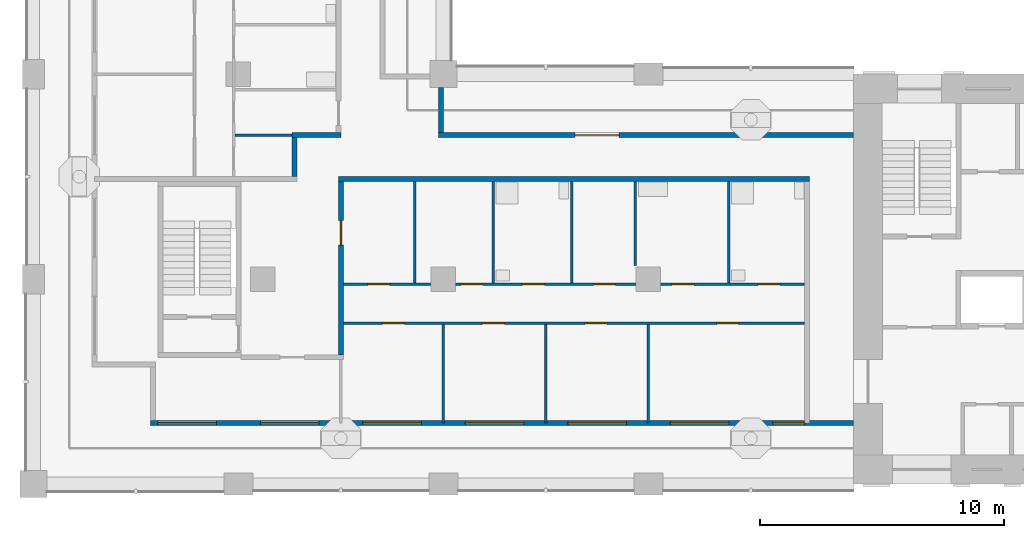
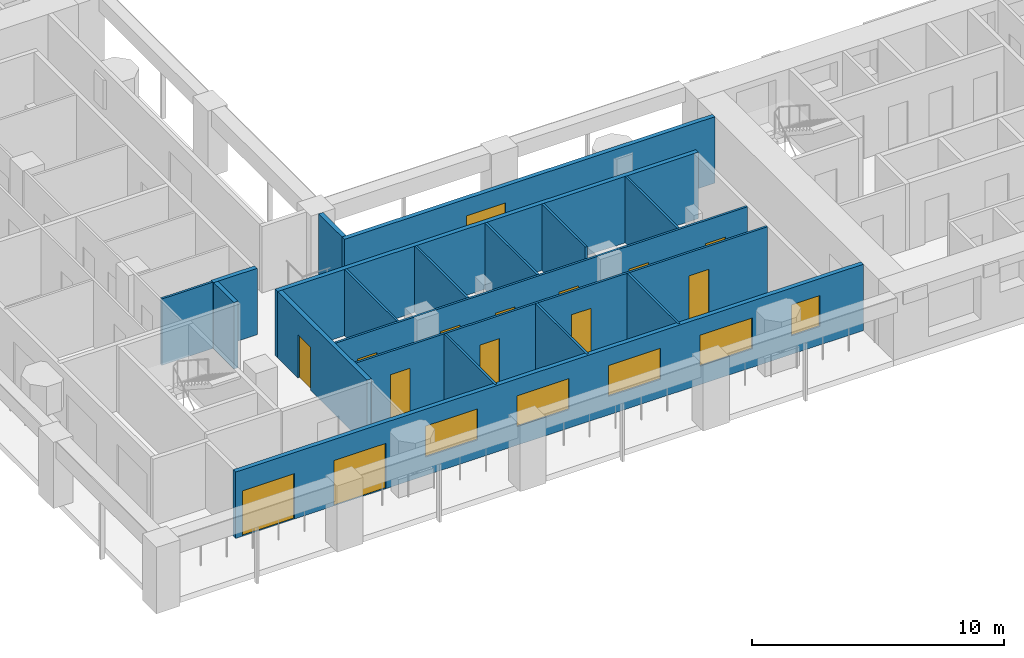
# One storey, part 2 of 13: 18 walls, 14 doors, 5 windows, 19 openings.
"""IFC4 building model written with IfcOpenShell, lengths in metres."""

from ifc_helpers import new_model, si_unit, direction, frame, frame_2d, origin, place, context, subcontext, project, spatial, rectangle, extrude, material, layer, layer_set, type_object, element, fill, save


model = new_model("IFC4")

# Units and contexts
model_context = context("Model", 3, precision=1e-05, world=origin(), true_north=direction((0.0, 1.0)))
body_context = subcontext(model_context, "Body", "Model", "MODEL_VIEW")
ifc_project = project(units=[si_unit("LENGTHUNIT", "METRE"), si_unit("AREAUNIT", "SQUARE_METRE"), si_unit("VOLUMEUNIT", "CUBIC_METRE"), si_unit("PLANEANGLEUNIT", "RADIAN"), si_unit("MASSUNIT", "GRAM", prefix="KILO")], contexts=[model_context])

# Site, building, storey
site_placement = place(None, origin())
site = spatial("IfcSite", under=ifc_project, at=site_placement, CompositionType="ELEMENT")
building_placement = place(site_placement, origin())
building = spatial("IfcBuilding", under=site, at=building_placement, Name="Vermilion Gate Residences", CompositionType="ELEMENT")
storey_placement = place(building_placement, frame((0.0, 0.0, 147.699951171875)))
storey = spatial("IfcBuildingStorey", under=building, at=storey_placement, Name="L37", CompositionType="ELEMENT", Elevation=147.699951171875)

# Wall, openings, doors, windows
ifc_material_1 = material(Name="Insulated steel stud wall with terracotta rainscreen", Category="masonry")
ifc_layer_1 = layer(ifc_material_1, 0.199951171875)
ifc_layer_set_1 = layer_set([ifc_layer_1], Name="EXTERNAL WALL 200 TERRACOTTA RAINSCREEN")
wall_type_1 = type_object("IfcWallType", Name="EXTERNAL WALL 200 TERRACOTTA RAINSCREEN", PredefinedType="SOLIDWALL", material=ifc_layer_set_1)
wall_1_placement = place(storey_placement, frame((13.199951171875, 10.89990234375, 0.0), z_axis=(0.0, 0.0, 1.0), x_axis=(1.0, 0.0, 0.0)))
wall_1 = element("IfcWall", 1, at=wall_1_placement, inside=storey, type_object=wall_type_1, Name="External wall", PredefinedType="SOLIDWALL", context=body_context, shape_type="SweptSolid", body=[
    extrude(rectangle(XDim=28.800048828125, YDim=0.199951171875, at=frame_2d((14.39990234375, 0.0))), origin(), (0.0, 0.0, 1.0), 3.219970703125),
])
opening_1_placement = place(wall_1_placement, frame((0.300048828125, 0.0, 0.0)))
opening_1 = element("IfcOpeningElement", 2, at=opening_1_placement, cuts=wall_1, Name="Opening DE37008", PredefinedType="OPENING", context=body_context, shape_type="SweptSolid", body=[
    extrude(rectangle(XDim=2.39990234375, YDim=2.199951171875, at=frame_2d((1.199951171875, 1.10009765625))), frame((0.0, 0.10986328125, 0.0), z_axis=(0.0, -1.0, 0.0), x_axis=(1.0, 0.0, 0.0)), (0.0, 0.0, 1.0), 0.219970703125),
])
opening_2_placement = place(wall_1_placement, frame((4.5, 0.0, 0.0)))
opening_2 = element("IfcOpeningElement", 3, at=opening_2_placement, cuts=wall_1, Name="Opening DE37009", PredefinedType="OPENING", context=body_context, shape_type="SweptSolid", body=[
    extrude(rectangle(XDim=2.39990234375, YDim=2.199951171875, at=frame_2d((1.199951171875, 1.10009765625))), frame((0.0, 0.10986328125, 0.0), z_axis=(0.0, -1.0, 0.0), x_axis=(1.0, 0.0, 0.0)), (0.0, 0.0, 1.0), 0.219970703125),
])
opening_3_placement = place(wall_1_placement, frame((8.699951171875, 0.0, 0.89990234375)))
opening_3 = element("IfcOpeningElement", 4, at=opening_3_placement, cuts=wall_1, Name="Opening WE37010", PredefinedType="OPENING", context=body_context, shape_type="SweptSolid", body=[
    extrude(rectangle(XDim=2.39990234375, YDim=1.5, at=frame_2d((1.199951171875, 0.75))), frame((0.0, 0.10986328125, 0.0), z_axis=(0.0, -1.0, 0.0), x_axis=(1.0, 0.0, 0.0)), (0.0, 0.0, 1.0), 0.219970703125),
])
opening_4_placement = place(wall_1_placement, frame((12.89990234375, 0.0, 0.89990234375)))
opening_4 = element("IfcOpeningElement", 5, at=opening_4_placement, cuts=wall_1, Name="Opening WE37011", PredefinedType="OPENING", context=body_context, shape_type="SweptSolid", body=[
    extrude(rectangle(XDim=2.39990234375, YDim=1.5, at=frame_2d((1.199951171875, 0.75))), frame((0.0, 0.10986328125, 0.0), z_axis=(0.0, -1.0, 0.0), x_axis=(1.0, 0.0, 0.0)), (0.0, 0.0, 1.0), 0.219970703125),
])
opening_5_placement = place(wall_1_placement, frame((17.10009765625, 0.0, 0.89990234375)))
opening_5 = element("IfcOpeningElement", 6, at=opening_5_placement, cuts=wall_1, Name="Opening WE37012", PredefinedType="OPENING", context=body_context, shape_type="SweptSolid", body=[
    extrude(rectangle(XDim=2.39990234375, YDim=1.5, at=frame_2d((1.199951171875, 0.75))), frame((0.0, 0.10986328125, 0.0), z_axis=(0.0, -1.0, 0.0), x_axis=(1.0, 0.0, 0.0)), (0.0, 0.0, 1.0), 0.219970703125),
])
opening_6_placement = place(wall_1_placement, frame((21.300048828125, 0.0, 0.89990234375)))
opening_6 = element("IfcOpeningElement", 7, at=opening_6_placement, cuts=wall_1, Name="Opening WE37013", PredefinedType="OPENING", context=body_context, shape_type="SweptSolid", body=[
    extrude(rectangle(XDim=2.39990234375, YDim=1.5, at=frame_2d((1.199951171875, 0.75))), frame((0.0, 0.10986328125, 0.0), z_axis=(0.0, -1.0, 0.0), x_axis=(1.0, 0.0, 0.0)), (0.0, 0.0, 1.0), 0.219970703125),
])
opening_7_placement = place(wall_1_placement, frame((25.5, 0.0, 0.89990234375)))
opening_7 = element("IfcOpeningElement", 8, at=opening_7_placement, cuts=wall_1, Name="Opening WE37014", PredefinedType="OPENING", context=body_context, shape_type="SweptSolid", body=[
    extrude(rectangle(XDim=1.300048828125, YDim=1.5, at=frame_2d((0.64990234375, 0.75))), frame((0.0, 0.10986328125, 0.0), z_axis=(0.0, -1.0, 0.0), x_axis=(1.0, 0.0, 0.0)), (0.0, 0.0, 1.0), 0.219970703125),
])
ifc_material_2 = material(Name="Aluminium and clear glass", Category="aluminium")
door_type_1 = type_object("IfcDoorType", Name="SLIDING GLAZED DOOR 2400 X 2200", OperationType="DOUBLE_DOOR_SLIDING", PredefinedType="DOOR", material=ifc_material_2)
door_1_placement = place(opening_1_placement, origin())
door_1 = element("IfcDoor", 9, at=door_1_placement, inside=storey, type_object=door_type_1, Name="Loggia sliding door", OperationType="DOUBLE_DOOR_SLIDING", OverallHeight=2.199951171875, OverallWidth=2.39990234375, PredefinedType="DOOR", context=body_context, shape_type="SweptSolid", body=[
    extrude(rectangle(XDim=2.39990234375, YDim=2.199951171875, at=frame_2d((1.199951171875, 1.10009765625))), frame((0.0, 0.02490234375, 0.0), z_axis=(0.0, -1.0, 0.0), x_axis=(1.0, 0.0, 0.0)), (0.0, 0.0, 1.0), 0.050048828125),
])
fill(opening_1, door_1)
door_2_placement = place(opening_2_placement, origin())
door_2 = element("IfcDoor", 10, at=door_2_placement, inside=storey, type_object=door_type_1, Name="Loggia sliding door", OperationType="DOUBLE_DOOR_SLIDING", OverallHeight=2.199951171875, OverallWidth=2.39990234375, PredefinedType="DOOR", context=body_context, shape_type="SweptSolid", body=[
    extrude(rectangle(XDim=2.39990234375, YDim=2.199951171875, at=frame_2d((1.199951171875, 1.10009765625))), frame((0.0, 0.02490234375, 0.0), z_axis=(0.0, -1.0, 0.0), x_axis=(1.0, 0.0, 0.0)), (0.0, 0.0, 1.0), 0.050048828125),
])
fill(opening_2, door_2)
ifc_material_3 = material(Name="Aluminium and clear glass", Category="aluminium")
window_type_1 = type_object("IfcWindowType", Name="WINDOW 1300 X 1500", PartitioningType="SINGLE_PANEL", PredefinedType="WINDOW", material=ifc_material_3)
window_1_placement = place(opening_7_placement, origin())
window_1 = element("IfcWindow", 11, at=window_1_placement, inside=storey, type_object=window_type_1, Name="Window", OverallHeight=1.5, OverallWidth=1.300048828125, PartitioningType="SINGLE_PANEL", PredefinedType="WINDOW", context=body_context, shape_type="SweptSolid", body=[
    extrude(rectangle(XDim=1.300048828125, YDim=1.5, at=frame_2d((0.64990234375, 0.75))), frame((0.0, 0.030029296875, 0.0), z_axis=(0.0, -1.0, 0.0), x_axis=(1.0, 0.0, 0.0)), (0.0, 0.0, 1.0), 0.06005859375),
])
fill(opening_7, window_1)
ifc_material_4 = material(Name="Aluminium and clear glass", Category="aluminium")
window_type_2 = type_object("IfcWindowType", Name="WINDOW 2400 X 1500", PartitioningType="SINGLE_PANEL", PredefinedType="WINDOW", material=ifc_material_4)
window_2_placement = place(opening_3_placement, origin())
window_2 = element("IfcWindow", 12, at=window_2_placement, inside=storey, type_object=window_type_2, Name="Window", OverallHeight=1.5, OverallWidth=2.39990234375, PartitioningType="SINGLE_PANEL", PredefinedType="WINDOW", context=body_context, shape_type="SweptSolid", body=[
    extrude(rectangle(XDim=2.39990234375, YDim=1.5, at=frame_2d((1.199951171875, 0.75))), frame((0.0, 0.030029296875, 0.0), z_axis=(0.0, -1.0, 0.0), x_axis=(1.0, 0.0, 0.0)), (0.0, 0.0, 1.0), 0.06005859375),
])
fill(opening_3, window_2)
window_3_placement = place(opening_4_placement, origin())
window_3 = element("IfcWindow", 13, at=window_3_placement, inside=storey, type_object=window_type_2, Name="Window", OverallHeight=1.5, OverallWidth=2.39990234375, PartitioningType="SINGLE_PANEL", PredefinedType="WINDOW", context=body_context, shape_type="SweptSolid", body=[
    extrude(rectangle(XDim=2.39990234375, YDim=1.5, at=frame_2d((1.199951171875, 0.75))), frame((0.0, 0.030029296875, 0.0), z_axis=(0.0, -1.0, 0.0), x_axis=(1.0, 0.0, 0.0)), (0.0, 0.0, 1.0), 0.06005859375),
])
fill(opening_4, window_3)
window_4_placement = place(opening_5_placement, origin())
window_4 = element("IfcWindow", 14, at=window_4_placement, inside=storey, type_object=window_type_2, Name="Window", OverallHeight=1.5, OverallWidth=2.39990234375, PartitioningType="SINGLE_PANEL", PredefinedType="WINDOW", context=body_context, shape_type="SweptSolid", body=[
    extrude(rectangle(XDim=2.39990234375, YDim=1.5, at=frame_2d((1.199951171875, 0.75))), frame((0.0, 0.030029296875, 0.0), z_axis=(0.0, -1.0, 0.0), x_axis=(1.0, 0.0, 0.0)), (0.0, 0.0, 1.0), 0.06005859375),
])
fill(opening_5, window_4)
window_5_placement = place(opening_6_placement, origin())
window_5 = element("IfcWindow", 15, at=window_5_placement, inside=storey, type_object=window_type_2, Name="Window", OverallHeight=1.5, OverallWidth=2.39990234375, PartitioningType="SINGLE_PANEL", PredefinedType="WINDOW", context=body_context, shape_type="SweptSolid", body=[
    extrude(rectangle(XDim=2.39990234375, YDim=1.5, at=frame_2d((1.199951171875, 0.75))), frame((0.0, 0.030029296875, 0.0), z_axis=(0.0, -1.0, 0.0), x_axis=(1.0, 0.0, 0.0)), (0.0, 0.0, 1.0), 0.06005859375),
])
fill(opening_6, window_5)

# Wall, opening, door
wall_2_placement = place(storey_placement, frame((42.0, 22.699951171875, 0.0), z_axis=(0.0, 0.0, 1.0), x_axis=(-1.0, 0.0, 0.0)))
wall_2 = element("IfcWall", 16, at=wall_2_placement, inside=storey, type_object=wall_type_1, Name="External wall", PredefinedType="SOLIDWALL", context=body_context, shape_type="SweptSolid", body=[
    extrude(rectangle(XDim=17.0, YDim=0.199951171875, at=frame_2d((8.5, 0.0))), origin(), (0.0, 0.0, 1.0), 3.219970703125),
])
opening_8_placement = place(wall_2_placement, frame((9.60009765625, 0.0, 0.0)))
opening_8 = element("IfcOpeningElement", 17, at=opening_8_placement, cuts=wall_2, Name="Opening DE37020", PredefinedType="OPENING", context=body_context, shape_type="SweptSolid", body=[
    extrude(rectangle(XDim=1.800048828125, YDim=2.39990234375, at=frame_2d((0.89990234375, 1.199951171875))), frame((0.0, 0.10986328125, 0.0), z_axis=(0.0, -1.0, 0.0), x_axis=(1.0, 0.0, 0.0)), (0.0, 0.0, 1.0), 0.219970703125),
])
ifc_material_5 = material(Name="Aluminium and clear glass", Category="aluminium")
door_type_2 = type_object("IfcDoorType", Name="GLAZED EXTERNAL DOOR 1800 X 2400", OperationType="DOUBLE_DOOR_SINGLE_SWING", PredefinedType="DOOR", material=ifc_material_5)
door_3_placement = place(opening_8_placement, frame((1.800048828125, 0.0, 0.0), z_axis=(0.0, 0.0, 1.0), x_axis=(-1.0, 0.0, 0.0)))
door_3 = element("IfcDoor", 18, at=door_3_placement, inside=storey, type_object=door_type_2, Name="Gallery door", OperationType="DOUBLE_DOOR_SINGLE_SWING", OverallHeight=2.39990234375, OverallWidth=1.800048828125, PredefinedType="DOOR", context=body_context, shape_type="SweptSolid", body=[
    extrude(rectangle(XDim=1.800048828125, YDim=2.39990234375, at=frame_2d((0.89990234375, 1.199951171875))), frame((0.0, 0.02490234375, 0.0), z_axis=(0.0, -1.0, 0.0), x_axis=(1.0, 0.0, 0.0)), (0.0, 0.0, 1.0), 0.050048828125),
])
fill(opening_8, door_3)

# Wall
wall_3_placement = place(storey_placement, frame((25.10009765625, 22.800048828125, 0.0), z_axis=(0.0, 0.0, 1.0), x_axis=(0.0, 1.0, 0.0)))
element("IfcWall", 19, at=wall_3_placement, inside=storey, type_object=wall_type_1, Name="External wall", PredefinedType="SOLIDWALL", context=body_context, shape_type="SweptSolid", body=[
    extrude(rectangle(XDim=1.849853515625, YDim=0.199951171875, at=frame_2d((0.9248046875, 0.0))), origin(), (0.0, 0.0, 1.0), 3.219970703125),
])

# Wall, openings, doors
ifc_material_6 = material(Name="Plasterboard on steel studs", Category="steel")
ifc_layer_2 = layer(ifc_material_6, 0.10009765625)
ifc_layer_set_2 = layer_set([ifc_layer_2], Name="PARTITION 100")
wall_type_2 = type_object("IfcWallType", Name="PARTITION 100", PredefinedType="PARTITIONING", material=ifc_layer_set_2)
wall_4_placement = place(storey_placement, frame((21.10009765625, 15.0, 0.0), z_axis=(0.0, 0.0, 1.0), x_axis=(1.0, 0.0, 0.0)))
wall_4 = element("IfcWall", 20, at=wall_4_placement, inside=storey, type_object=wall_type_2, Name="Partition", PredefinedType="PARTITIONING", context=body_context, shape_type="SweptSolid", body=[
    extrude(rectangle(XDim=18.89990234375, YDim=0.10009765625, at=frame_2d((9.449951171875, 0.0))), origin(), (0.0, 0.0, 1.0), 3.219970703125),
])
opening_9_placement = place(wall_4_placement, frame((1.60009765625, 0.0, 0.0)))
opening_9 = element("IfcOpeningElement", 21, at=opening_9_placement, cuts=wall_4, Name="Opening DA37002", PredefinedType="OPENING", context=body_context, shape_type="SweptSolid", body=[
    extrude(rectangle(XDim=0.89990234375, YDim=2.10009765625, at=frame_2d((0.449951171875, 1.050048828125))), frame((0.0, 0.06005859375, 0.0), z_axis=(0.0, -1.0, 0.0), x_axis=(1.0, 0.0, 0.0)), (0.0, 0.0, 1.0), 0.1201171875),
])
opening_10_placement = place(wall_4_placement, frame((5.699951171875, 0.0, 0.0)))
opening_10 = element("IfcOpeningElement", 22, at=opening_10_placement, cuts=wall_4, Name="Opening DA37003", PredefinedType="OPENING", context=body_context, shape_type="SweptSolid", body=[
    extrude(rectangle(XDim=0.89990234375, YDim=2.10009765625, at=frame_2d((0.449951171875, 1.050048828125))), frame((0.0, 0.06005859375, 0.0), z_axis=(0.0, -1.0, 0.0), x_axis=(1.0, 0.0, 0.0)), (0.0, 0.0, 1.0), 0.1201171875),
])
opening_11_placement = place(wall_4_placement, frame((9.89990234375, 0.0, 0.0)))
opening_11 = element("IfcOpeningElement", 23, at=opening_11_placement, cuts=wall_4, Name="Opening DA37004", PredefinedType="OPENING", context=body_context, shape_type="SweptSolid", body=[
    extrude(rectangle(XDim=0.89990234375, YDim=2.10009765625, at=frame_2d((0.449951171875, 1.050048828125))), frame((0.0, 0.06005859375, 0.0), z_axis=(0.0, -1.0, 0.0), x_axis=(1.0, 0.0, 0.0)), (0.0, 0.0, 1.0), 0.1201171875),
])
opening_12_placement = place(wall_4_placement, frame((15.300048828125, 0.0, 0.0)))
opening_12 = element("IfcOpeningElement", 24, at=opening_12_placement, cuts=wall_4, Name="Opening DA37005", PredefinedType="OPENING", context=body_context, shape_type="SweptSolid", body=[
    extrude(rectangle(XDim=0.89990234375, YDim=2.10009765625, at=frame_2d((0.449951171875, 1.050048828125))), frame((0.0, 0.06005859375, 0.0), z_axis=(0.0, -1.0, 0.0), x_axis=(1.0, 0.0, 0.0)), (0.0, 0.0, 1.0), 0.1201171875),
])
ifc_material_7 = material(Name="Timber", Category="wood")
door_type_3 = type_object("IfcDoorType", Name="INTERIOR DOOR 900 X 2100", OperationType="SINGLE_SWING_LEFT", PredefinedType="DOOR", material=ifc_material_7)
door_4_placement = place(opening_9_placement, frame((0.89990234375, 0.0, 0.0), z_axis=(0.0, 0.0, 1.0), x_axis=(-1.0, 0.0, 0.0)))
door_4 = element("IfcDoor", 25, at=door_4_placement, inside=storey, type_object=door_type_3, Name="Interior door", OperationType="SINGLE_SWING_LEFT", OverallHeight=2.10009765625, OverallWidth=0.89990234375, PredefinedType="DOOR", context=body_context, shape_type="SweptSolid", body=[
    extrude(rectangle(XDim=0.89990234375, YDim=2.10009765625, at=frame_2d((0.449951171875, 1.050048828125))), frame((0.0, 0.02490234375, 0.0), z_axis=(0.0, -1.0, 0.0), x_axis=(1.0, 0.0, 0.0)), (0.0, 0.0, 1.0), 0.050048828125),
])
fill(opening_9, door_4)
door_5_placement = place(opening_10_placement, frame((0.89990234375, 0.0, 0.0), z_axis=(0.0, 0.0, 1.0), x_axis=(-1.0, 0.0, 0.0)))
door_5 = element("IfcDoor", 26, at=door_5_placement, inside=storey, type_object=door_type_3, Name="Interior door", OperationType="SINGLE_SWING_RIGHT", OverallHeight=2.10009765625, OverallWidth=0.89990234375, PredefinedType="DOOR", context=body_context, shape_type="SweptSolid", body=[
    extrude(rectangle(XDim=0.89990234375, YDim=2.10009765625, at=frame_2d((0.449951171875, 1.050048828125))), frame((0.0, 0.02490234375, 0.0), z_axis=(0.0, -1.0, 0.0), x_axis=(1.0, 0.0, 0.0)), (0.0, 0.0, 1.0), 0.050048828125),
])
fill(opening_10, door_5)
door_6_placement = place(opening_11_placement, frame((0.89990234375, 0.0, 0.0), z_axis=(0.0, 0.0, 1.0), x_axis=(-1.0, 0.0, 0.0)))
door_6 = element("IfcDoor", 27, at=door_6_placement, inside=storey, type_object=door_type_3, Name="Interior door", OperationType="SINGLE_SWING_RIGHT", OverallHeight=2.10009765625, OverallWidth=0.89990234375, PredefinedType="DOOR", context=body_context, shape_type="SweptSolid", body=[
    extrude(rectangle(XDim=0.89990234375, YDim=2.10009765625, at=frame_2d((0.449951171875, 1.050048828125))), frame((0.0, 0.02490234375, 0.0), z_axis=(0.0, -1.0, 0.0), x_axis=(1.0, 0.0, 0.0)), (0.0, 0.0, 1.0), 0.050048828125),
])
fill(opening_11, door_6)
door_7_placement = place(opening_12_placement, frame((0.89990234375, 0.0, 0.0), z_axis=(0.0, 0.0, 1.0), x_axis=(-1.0, 0.0, 0.0)))
door_7 = element("IfcDoor", 28, at=door_7_placement, inside=storey, type_object=door_type_3, Name="Interior door", OperationType="SINGLE_SWING_LEFT", OverallHeight=2.10009765625, OverallWidth=0.89990234375, PredefinedType="DOOR", context=body_context, shape_type="SweptSolid", body=[
    extrude(rectangle(XDim=0.89990234375, YDim=2.10009765625, at=frame_2d((0.449951171875, 1.050048828125))), frame((0.0, 0.02490234375, 0.0), z_axis=(0.0, -1.0, 0.0), x_axis=(1.0, 0.0, 0.0)), (0.0, 0.0, 1.0), 0.050048828125),
])
fill(opening_12, door_7)

wall_5_placement = place(storey_placement, frame((21.10009765625, 16.60009765625, 0.0), z_axis=(0.0, 0.0, 1.0), x_axis=(1.0, 0.0, 0.0)))
wall_5 = element("IfcWall", 29, at=wall_5_placement, inside=storey, type_object=wall_type_2, Name="Partition", PredefinedType="PARTITIONING", context=body_context, shape_type="SweptSolid", body=[
    extrude(rectangle(XDim=18.89990234375, YDim=0.10009765625, at=frame_2d((9.449951171875, 0.0))), origin(), (0.0, 0.0, 1.0), 3.219970703125),
])
opening_13_placement = place(wall_5_placement, frame((1.0, 0.0, 0.0)))
opening_13 = element("IfcOpeningElement", 30, at=opening_13_placement, cuts=wall_5, Name="Opening DA37006", PredefinedType="OPENING", context=body_context, shape_type="SweptSolid", body=[
    extrude(rectangle(XDim=0.89990234375, YDim=2.10009765625, at=frame_2d((0.449951171875, 1.050048828125))), frame((0.0, 0.06005859375, 0.0), z_axis=(0.0, -1.0, 0.0), x_axis=(1.0, 0.0, 0.0)), (0.0, 0.0, 1.0), 0.1201171875),
])
opening_14_placement = place(wall_5_placement, frame((4.81689453125, 0.0, 0.0)))
opening_14 = element("IfcOpeningElement", 31, at=opening_14_placement, cuts=wall_5, Name="Opening DA37007", PredefinedType="OPENING", context=body_context, shape_type="SweptSolid", body=[
    extrude(rectangle(XDim=0.89990234375, YDim=2.10009765625, at=frame_2d((0.449951171875, 1.050048828125))), frame((0.0, 0.06005859375, 0.0), z_axis=(0.0, -1.0, 0.0), x_axis=(1.0, 0.0, 0.0)), (0.0, 0.0, 1.0), 0.1201171875),
])
opening_15_placement = place(wall_5_placement, frame((7.3330078125, 0.0, 0.0)))
opening_15 = element("IfcOpeningElement", 32, at=opening_15_placement, cuts=wall_5, Name="Opening DA37008", PredefinedType="OPENING", context=body_context, shape_type="SweptSolid", body=[
    extrude(rectangle(XDim=0.89990234375, YDim=2.10009765625, at=frame_2d((0.449951171875, 1.050048828125))), frame((0.0, 0.06005859375, 0.0), z_axis=(0.0, -1.0, 0.0), x_axis=(1.0, 0.0, 0.0)), (0.0, 0.0, 1.0), 0.1201171875),
])
opening_16_placement = place(wall_5_placement, frame((10.25, 0.0, 0.0)))
opening_16 = element("IfcOpeningElement", 33, at=opening_16_placement, cuts=wall_5, Name="Opening DA37009", PredefinedType="OPENING", context=body_context, shape_type="SweptSolid", body=[
    extrude(rectangle(XDim=0.89990234375, YDim=2.10009765625, at=frame_2d((0.449951171875, 1.050048828125))), frame((0.0, 0.06005859375, 0.0), z_axis=(0.0, -1.0, 0.0), x_axis=(1.0, 0.0, 0.0)), (0.0, 0.0, 1.0), 0.1201171875),
])
opening_17_placement = place(wall_5_placement, frame((13.467041015625, 0.0, 0.0)))
opening_17 = element("IfcOpeningElement", 34, at=opening_17_placement, cuts=wall_5, Name="Opening DA37010", PredefinedType="OPENING", context=body_context, shape_type="SweptSolid", body=[
    extrude(rectangle(XDim=0.89990234375, YDim=2.10009765625, at=frame_2d((0.449951171875, 1.050048828125))), frame((0.0, 0.06005859375, 0.0), z_axis=(0.0, -1.0, 0.0), x_axis=(1.0, 0.0, 0.0)), (0.0, 0.0, 1.0), 0.1201171875),
])
opening_18_placement = place(wall_5_placement, frame((16.98388671875, 0.0, 0.0)))
opening_18 = element("IfcOpeningElement", 35, at=opening_18_placement, cuts=wall_5, Name="Opening DA37011", PredefinedType="OPENING", context=body_context, shape_type="SweptSolid", body=[
    extrude(rectangle(XDim=0.89990234375, YDim=2.10009765625, at=frame_2d((0.449951171875, 1.050048828125))), frame((0.0, 0.06005859375, 0.0), z_axis=(0.0, -1.0, 0.0), x_axis=(1.0, 0.0, 0.0)), (0.0, 0.0, 1.0), 0.1201171875),
])
door_8_placement = place(opening_13_placement, origin())
door_8 = element("IfcDoor", 36, at=door_8_placement, inside=storey, type_object=door_type_3, Name="Interior door", OperationType="SINGLE_SWING_RIGHT", OverallHeight=2.10009765625, OverallWidth=0.89990234375, PredefinedType="DOOR", context=body_context, shape_type="SweptSolid", body=[
    extrude(rectangle(XDim=0.89990234375, YDim=2.10009765625, at=frame_2d((0.449951171875, 1.050048828125))), frame((0.0, 0.02490234375, 0.0), z_axis=(0.0, -1.0, 0.0), x_axis=(1.0, 0.0, 0.0)), (0.0, 0.0, 1.0), 0.050048828125),
])
fill(opening_13, door_8)
door_9_placement = place(opening_14_placement, origin())
door_9 = element("IfcDoor", 37, at=door_9_placement, inside=storey, type_object=door_type_3, Name="Interior door", OperationType="SINGLE_SWING_LEFT", OverallHeight=2.10009765625, OverallWidth=0.89990234375, PredefinedType="DOOR", context=body_context, shape_type="SweptSolid", body=[
    extrude(rectangle(XDim=0.89990234375, YDim=2.10009765625, at=frame_2d((0.449951171875, 1.050048828125))), frame((0.0, 0.02490234375, 0.0), z_axis=(0.0, -1.0, 0.0), x_axis=(1.0, 0.0, 0.0)), (0.0, 0.0, 1.0), 0.050048828125),
])
fill(opening_14, door_9)
door_10_placement = place(opening_15_placement, origin())
door_10 = element("IfcDoor", 38, at=door_10_placement, inside=storey, type_object=door_type_3, Name="Interior door", OperationType="SINGLE_SWING_LEFT", OverallHeight=2.10009765625, OverallWidth=0.89990234375, PredefinedType="DOOR", context=body_context, shape_type="SweptSolid", body=[
    extrude(rectangle(XDim=0.89990234375, YDim=2.10009765625, at=frame_2d((0.449951171875, 1.050048828125))), frame((0.0, 0.02490234375, 0.0), z_axis=(0.0, -1.0, 0.0), x_axis=(1.0, 0.0, 0.0)), (0.0, 0.0, 1.0), 0.050048828125),
])
fill(opening_15, door_10)
door_11_placement = place(opening_16_placement, origin())
door_11 = element("IfcDoor", 39, at=door_11_placement, inside=storey, type_object=door_type_3, Name="Interior door", OperationType="SINGLE_SWING_LEFT", OverallHeight=2.10009765625, OverallWidth=0.89990234375, PredefinedType="DOOR", context=body_context, shape_type="SweptSolid", body=[
    extrude(rectangle(XDim=0.89990234375, YDim=2.10009765625, at=frame_2d((0.449951171875, 1.050048828125))), frame((0.0, 0.02490234375, 0.0), z_axis=(0.0, -1.0, 0.0), x_axis=(1.0, 0.0, 0.0)), (0.0, 0.0, 1.0), 0.050048828125),
])
fill(opening_16, door_11)
door_12_placement = place(opening_17_placement, origin())
door_12 = element("IfcDoor", 40, at=door_12_placement, inside=storey, type_object=door_type_3, Name="Interior door", OperationType="SINGLE_SWING_LEFT", OverallHeight=2.10009765625, OverallWidth=0.89990234375, PredefinedType="DOOR", context=body_context, shape_type="SweptSolid", body=[
    extrude(rectangle(XDim=0.89990234375, YDim=2.10009765625, at=frame_2d((0.449951171875, 1.050048828125))), frame((0.0, 0.02490234375, 0.0), z_axis=(0.0, -1.0, 0.0), x_axis=(1.0, 0.0, 0.0)), (0.0, 0.0, 1.0), 0.050048828125),
])
fill(opening_17, door_12)
door_13_placement = place(opening_18_placement, origin())
door_13 = element("IfcDoor", 41, at=door_13_placement, inside=storey, type_object=door_type_3, Name="Interior door", OperationType="SINGLE_SWING_LEFT", OverallHeight=2.10009765625, OverallWidth=0.89990234375, PredefinedType="DOOR", context=body_context, shape_type="SweptSolid", body=[
    extrude(rectangle(XDim=0.89990234375, YDim=2.10009765625, at=frame_2d((0.449951171875, 1.050048828125))), frame((0.0, 0.02490234375, 0.0), z_axis=(0.0, -1.0, 0.0), x_axis=(1.0, 0.0, 0.0)), (0.0, 0.0, 1.0), 0.050048828125),
])
fill(opening_18, door_13)

# Walls
wall_6_placement = place(storey_placement, frame((16.64990234375, 22.699951171875, 0.0), z_axis=(0.0, 0.0, 1.0), x_axis=(1.0, 0.0, 0.0)))
element("IfcWall", 42, at=wall_6_placement, inside=storey, type_object=wall_type_2, Name="Partition", PredefinedType="PARTITIONING", context=body_context, shape_type="SweptSolid", body=[
    extrude(rectangle(XDim=2.35009765625, YDim=0.10009765625, at=frame_2d((1.175048828125, 0.0))), origin(), (0.0, 0.0, 1.0), 3.219970703125),
])
wall_7_placement = place(storey_placement, frame((24.01708984375, 16.64990234375, 0.0), z_axis=(0.0, 0.0, 1.0), x_axis=(0.0, 1.0, 0.0)))
element("IfcWall", 43, at=wall_7_placement, inside=storey, type_object=wall_type_2, Name="Partition", PredefinedType="PARTITIONING", context=body_context, shape_type="SweptSolid", body=[
    extrude(rectangle(XDim=4.150146484375, YDim=0.10009765625, at=frame_2d((2.0751953125, 0.0))), origin(), (0.0, 0.0, 1.0), 3.219970703125),
])
wall_8_placement = place(storey_placement, frame((25.199951171875, 10.89990234375, 0.0), z_axis=(0.0, 0.0, 1.0), x_axis=(0.0, 1.0, 0.0)))
element("IfcWall", 44, at=wall_8_placement, inside=storey, type_object=wall_type_2, Name="Partition", PredefinedType="PARTITIONING", context=body_context, shape_type="SweptSolid", body=[
    extrude(rectangle(XDim=4.050048828125, YDim=0.10009765625, at=frame_2d((2.02490234375, 0.0))), origin(), (0.0, 0.0, 1.0), 3.219970703125),
])
wall_9_placement = place(storey_placement, frame((27.23291015625, 16.64990234375, 0.0), z_axis=(0.0, 0.0, 1.0), x_axis=(0.0, 1.0, 0.0)))
element("IfcWall", 45, at=wall_9_placement, inside=storey, type_object=wall_type_2, Name="Partition", PredefinedType="PARTITIONING", context=body_context, shape_type="SweptSolid", body=[
    extrude(rectangle(XDim=4.150146484375, YDim=0.10009765625, at=frame_2d((2.0751953125, 0.0))), origin(), (0.0, 0.0, 1.0), 3.219970703125),
])
wall_10_placement = place(storey_placement, frame((29.39990234375, 10.89990234375, 0.0), z_axis=(0.0, 0.0, 1.0), x_axis=(0.0, 1.0, 0.0)))
element("IfcWall", 46, at=wall_10_placement, inside=storey, type_object=wall_type_2, Name="Partition", PredefinedType="PARTITIONING", context=body_context, shape_type="SweptSolid", body=[
    extrude(rectangle(XDim=4.050048828125, YDim=0.10009765625, at=frame_2d((2.02490234375, 0.0))), origin(), (0.0, 0.0, 1.0), 3.219970703125),
])
wall_11_placement = place(storey_placement, frame((30.449951171875, 16.64990234375, 0.0), z_axis=(0.0, 0.0, 1.0), x_axis=(0.0, 1.0, 0.0)))
element("IfcWall", 47, at=wall_11_placement, inside=storey, type_object=wall_type_2, Name="Partition", PredefinedType="PARTITIONING", context=body_context, shape_type="SweptSolid", body=[
    extrude(rectangle(XDim=4.150146484375, YDim=0.10009765625, at=frame_2d((2.0751953125, 0.0))), origin(), (0.0, 0.0, 1.0), 3.219970703125),
])
wall_12_placement = place(storey_placement, frame((33.06689453125, 17.35009765625, 0.0), z_axis=(0.0, 0.0, 1.0), x_axis=(0.0, 1.0, 0.0)))
element("IfcWall", 48, at=wall_12_placement, inside=storey, type_object=wall_type_2, Name="Partition", PredefinedType="PARTITIONING", context=body_context, shape_type="SweptSolid", body=[
    extrude(rectangle(XDim=3.449951171875, YDim=0.10009765625, at=frame_2d((1.72509765625, 0.0))), origin(), (0.0, 0.0, 1.0), 3.219970703125),
])
wall_13_placement = place(storey_placement, frame((33.60009765625, 10.89990234375, 0.0), z_axis=(0.0, 0.0, 1.0), x_axis=(0.0, 1.0, 0.0)))
element("IfcWall", 49, at=wall_13_placement, inside=storey, type_object=wall_type_2, Name="Partition", PredefinedType="PARTITIONING", context=body_context, shape_type="SweptSolid", body=[
    extrude(rectangle(XDim=4.050048828125, YDim=0.10009765625, at=frame_2d((2.02490234375, 0.0))), origin(), (0.0, 0.0, 1.0), 3.219970703125),
])
wall_14_placement = place(storey_placement, frame((36.884033203125, 16.64990234375, 0.0), z_axis=(0.0, 0.0, 1.0), x_axis=(0.0, 1.0, 0.0)))
element("IfcWall", 50, at=wall_14_placement, inside=storey, type_object=wall_type_2, Name="Partition", PredefinedType="PARTITIONING", context=body_context, shape_type="SweptSolid", body=[
    extrude(rectangle(XDim=4.150146484375, YDim=0.10009765625, at=frame_2d((2.0751953125, 0.0))), origin(), (0.0, 0.0, 1.0), 3.219970703125),
])
ifc_material_8 = material(Name="Fire-rated plasterboard on steel studs", Category="steel")
ifc_layer_3 = layer(ifc_material_8, 0.199951171875)
ifc_layer_set_3 = layer_set([ifc_layer_3], Name="PARTY WALL 200 EI 120")
wall_type_3 = type_object("IfcWallType", Name="PARTY WALL 200 EI 120", PredefinedType="PARTITIONING", material=ifc_layer_set_3)
wall_15_placement = place(storey_placement, frame((20.89990234375, 20.89990234375, 0.0), z_axis=(0.0, 0.0, 1.0), x_axis=(1.0, 0.0, 0.0)))
element("IfcWall", 51, at=wall_15_placement, inside=storey, type_object=wall_type_3, Name="Party and corridor wall", PredefinedType="PARTITIONING", context=body_context, shape_type="SweptSolid", body=[
    extrude(rectangle(XDim=19.300048828125, YDim=0.199951171875, at=frame_2d((9.64990234375, 0.0))), origin(), (0.0, 0.0, 1.0), 3.219970703125),
])
wall_16_placement = place(storey_placement, frame((19.0, 22.699951171875, 0.0), z_axis=(0.0, 0.0, 1.0), x_axis=(1.0, 0.0, 0.0)))
element("IfcWall", 52, at=wall_16_placement, inside=storey, type_object=wall_type_3, Name="Party and corridor wall", PredefinedType="PARTITIONING", context=body_context, shape_type="SweptSolid", body=[
    extrude(rectangle(XDim=2.0, YDim=0.199951171875, at=frame_2d((1.0, 0.0))), origin(), (0.0, 0.0, 1.0), 3.219970703125),
])
wall_17_placement = place(storey_placement, frame((19.10009765625, 21.0, 0.0), z_axis=(0.0, 0.0, 1.0), x_axis=(0.0, 1.0, 0.0)))
element("IfcWall", 53, at=wall_17_placement, inside=storey, type_object=wall_type_3, Name="Party and corridor wall", PredefinedType="PARTITIONING", context=body_context, shape_type="SweptSolid", body=[
    extrude(rectangle(XDim=1.60009765625, YDim=0.199951171875, at=frame_2d((0.800048828125, 0.0))), origin(), (0.0, 0.0, 1.0), 3.219970703125),
])

# Wall, opening, door
wall_18_placement = place(storey_placement, frame((21.0, 13.699951171875, 0.0), z_axis=(0.0, 0.0, 1.0), x_axis=(0.0, 1.0, 0.0)))
wall_18 = element("IfcWall", 54, at=wall_18_placement, inside=storey, type_object=wall_type_3, Name="Party and corridor wall", PredefinedType="PARTITIONING", context=body_context, shape_type="SweptSolid", body=[
    extrude(rectangle(XDim=7.10009765625, YDim=0.199951171875, at=frame_2d((3.550048828125, 0.0))), origin(), (0.0, 0.0, 1.0), 3.219970703125),
])
opening_19_placement = place(wall_18_placement, frame((4.5, 0.0, 0.0)))
opening_19 = element("IfcOpeningElement", 55, at=opening_19_placement, cuts=wall_18, Name="Opening DA37025", PredefinedType="OPENING", context=body_context, shape_type="SweptSolid", body=[
    extrude(rectangle(XDim=1.0, YDim=2.10009765625, at=frame_2d((0.5, 1.050048828125))), frame((0.0, 0.10986328125, 0.0), z_axis=(0.0, -1.0, 0.0), x_axis=(1.0, 0.0, 0.0)), (0.0, 0.0, 1.0), 0.219970703125),
])
ifc_material_9 = material(Name="Steel", Category="steel")
door_type_4 = type_object("IfcDoorType", Name="ENTRANCE DOOR 1000 X 2100 FD30", OperationType="SINGLE_SWING_LEFT", PredefinedType="DOOR", material=ifc_material_9)
door_14_placement = place(opening_19_placement, frame((1.0, 0.0, 0.0), z_axis=(0.0, 0.0, 1.0), x_axis=(-1.0, 0.0, 0.0)))
door_14 = element("IfcDoor", 56, at=door_14_placement, inside=storey, type_object=door_type_4, Name="Entrance door", OperationType="SINGLE_SWING_RIGHT", OverallHeight=2.10009765625, OverallWidth=1.0, PredefinedType="DOOR", context=body_context, shape_type="SweptSolid", body=[
    extrude(rectangle(XDim=1.0, YDim=2.10009765625, at=frame_2d((0.5, 1.050048828125))), frame((0.0, 0.02490234375, 0.0), z_axis=(0.0, -1.0, 0.0), x_axis=(1.0, 0.0, 0.0)), (0.0, 0.0, 1.0), 0.050048828125),
])
fill(opening_19, door_14)

save(model, "model.ifc")
